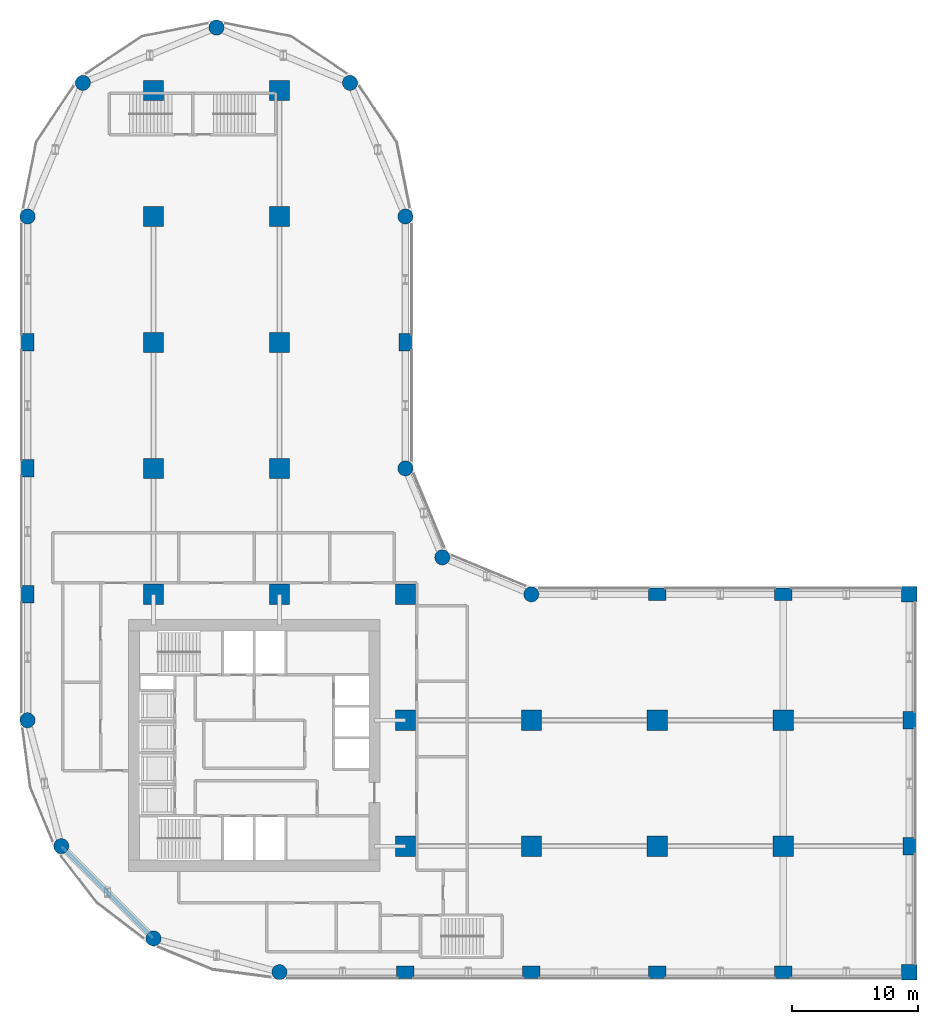
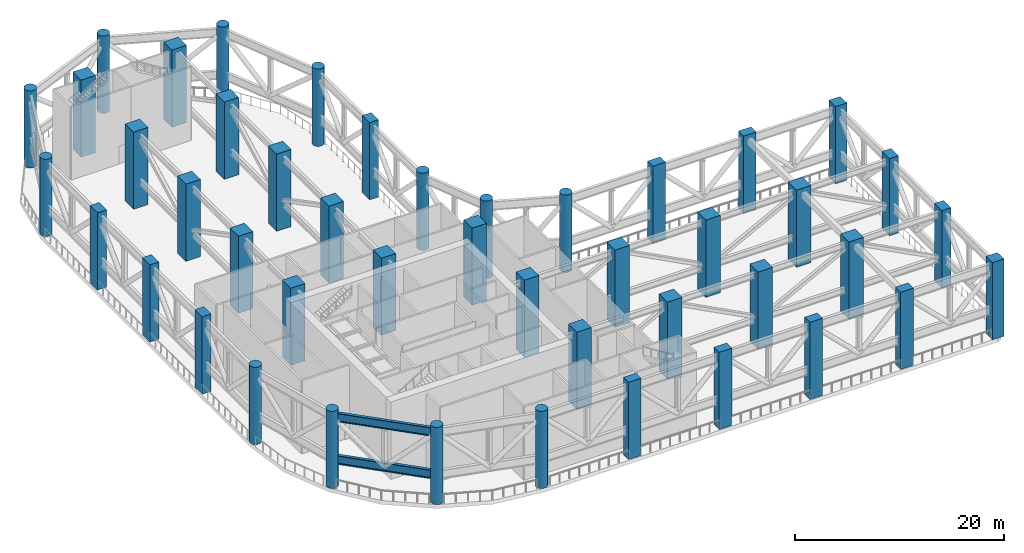
# One storey, part 1 of 14: 45 columns, 2 members.
"""IFC4 building model written with IfcOpenShell, lengths in metres."""

from ifc_helpers import new_model, si_unit, direction, frame, origin, origin_2d, place, context, subcontext, project, spatial, rectangle, circle, i_section, extrude, material, material_profile, profile_set, type_object, element, save


model = new_model("IFC4")

# Units and contexts
model_context = context("Model", 3, precision=1e-05, world=origin(), true_north=direction((0.0, 1.0)))
body_context = subcontext(model_context, "Body", "Model", "MODEL_VIEW")
ifc_project = project(units=[si_unit("LENGTHUNIT", "METRE"), si_unit("AREAUNIT", "SQUARE_METRE"), si_unit("VOLUMEUNIT", "CUBIC_METRE"), si_unit("PLANEANGLEUNIT", "RADIAN"), si_unit("MASSUNIT", "GRAM", prefix="KILO")], contexts=[model_context])

# Site, building, storey
site_placement = place(None, origin())
site = spatial("IfcSite", under=ifc_project, at=site_placement, CompositionType="ELEMENT")
building_placement = place(site_placement, origin())
building = spatial("IfcBuilding", under=site, at=building_placement, Name="Qaws Garden Tower", CompositionType="ELEMENT")
storey_placement = place(building_placement, frame((0.0, 0.0, 117.300048828125)))
storey = spatial("IfcBuildingStorey", under=building, at=storey_placement, Name="L29", CompositionType="ELEMENT", Elevation=117.300048828125)

# Columns
ifc_material_1 = material(Name="Concrete C80", Category="concrete")
ifc_material_profile_1 = material_profile(ifc_material_1, rectangle(XDim=1.25, YDim=1.25, at=origin_2d()), Name="RC 1250x1250")
ifc_profile_set_1 = profile_set([ifc_material_profile_1], Name="Concrete C80")
column_type_1 = type_object("IfcColumnType", Name="Column RC 1250x1250 C80", PredefinedType="COLUMN", material=ifc_profile_set_1)
for number, where, z_axis, x_axis, name in (
    (1, (70.0, 0.0, 0.0), (0.0, 0.0, 1.0), (1.0, 0.0, 0.0), "Column L29-006"),
    (2, (70.0, 30.0, 0.0), (0.0, 0.0, 1.0), (1.0, 0.0, 0.0), "Column L29-009"),
):
    element("IfcColumn", number, at=place(storey_placement, frame(where, z_axis=z_axis, x_axis=x_axis)), inside=storey, type_object=column_type_1, Name=name, PredefinedType="COLUMN", context=body_context, shape_type="SweptSolid", body=[
        extrude(rectangle(XDim=1.25, YDim=1.25, at=origin_2d()), origin(), (0.0, 0.0, 1.0), 9.0),
    ])
ifc_material_2 = material(Name="Concrete C80", Category="concrete")
ifc_material_profile_2 = material_profile(ifc_material_2, rectangle(XDim=1.39990234375, YDim=1.0, at=origin_2d()), Name="RC 1400x1000")
ifc_profile_set_2 = profile_set([ifc_material_profile_2], Name="Concrete C80")
column_type_2 = type_object("IfcColumnType", Name="Column RC 1400x1000 C80", PredefinedType="COLUMN", material=ifc_profile_set_2)
for number, where, z_axis, x_axis, name in (
    (3, (30.0, 0.0, 0.0), (0.0, 0.0, 1.0), (1.0, 0.0, 0.0), "Column L29-002"),
    (4, (40.0, 0.0, 0.0), (0.0, 0.0, 1.0), (1.0, 0.0, 0.0), "Column L29-003"),
    (5, (50.0, 0.0, 0.0), (0.0, 0.0, 1.0), (1.0, 0.0, 0.0), "Column L29-004"),
    (6, (60.0, 0.0, 0.0), (0.0, 0.0, 1.0), (1.0, 0.0, 0.0), "Column L29-005"),
    (7, (70.0, 10.0, 0.0), (0.0, 0.0, 1.0), (0.0, 1.0, 0.0), "Column L29-007"),
    (8, (70.0, 20.0, 0.0), (0.0, 0.0, 1.0), (0.0, 1.0, 0.0), "Column L29-008"),
    (9, (60.0, 30.0, 0.0), (0.0, 0.0, 1.0), (1.0, 0.0, 0.0), "Column L29-010"),
    (10, (50.0, 30.0, 0.0), (0.0, 0.0, 1.0), (1.0, 0.0, 0.0), "Column L29-011"),
    (11, (30.0, 50.0, 0.0), (0.0, 0.0, 1.0), (0.0, 1.0, 0.0), "Column L29-015"),
    (12, (0.0, 50.0, 0.0), (0.0, 0.0, 1.0), (0.0, 1.0, 0.0), "Column L29-021"),
    (13, (0.0, 40.0, 0.0), (0.0, 0.0, 1.0), (0.0, 1.0, 0.0), "Column L29-022"),
    (14, (0.0, 30.0, 0.0), (0.0, 0.0, 1.0), (0.0, 1.0, 0.0), "Column L29-023"),
):
    element("IfcColumn", number, at=place(storey_placement, frame(where, z_axis=z_axis, x_axis=x_axis)), inside=storey, type_object=column_type_2, Name=name, PredefinedType="COLUMN", context=body_context, shape_type="SweptSolid", body=[
        extrude(rectangle(XDim=1.39990234375, YDim=1.0, at=origin_2d()), origin(), (0.0, 0.0, 1.0), 9.0),
    ])
ifc_material_3 = material(Name="Concrete C80", Category="concrete")
ifc_material_profile_3 = material_profile(ifc_material_3, rectangle(XDim=1.60009765625, YDim=1.60009765625, at=origin_2d()), Name="RC 1600x1600")
ifc_profile_set_3 = profile_set([ifc_material_profile_3], Name="Concrete C80")
column_type_3 = type_object("IfcColumnType", Name="Column RC 1600x1600 C80", PredefinedType="COLUMN", material=ifc_profile_set_3)
for number, where, z_axis, x_axis, name in (
    (15, (10.0, 30.0, 0.0), (0.0, 0.0, 1.0), (1.0, 0.0, 0.0), "Column L29-027"),
    (16, (10.0, 40.0, 0.0), (0.0, 0.0, 1.0), (1.0, 0.0, 0.0), "Column L29-028"),
    (17, (10.0, 50.0, 0.0), (0.0, 0.0, 1.0), (1.0, 0.0, 0.0), "Column L29-029"),
    (18, (10.0, 60.0, 0.0), (0.0, 0.0, 1.0), (1.0, 0.0, 0.0), "Column L29-030"),
    (19, (10.0, 70.0, 0.0), (0.0, 0.0, 1.0), (1.0, 0.0, 0.0), "Column L29-031"),
    (20, (20.0, 30.0, 0.0), (0.0, 0.0, 1.0), (1.0, 0.0, 0.0), "Column L29-032"),
    (21, (20.0, 40.0, 0.0), (0.0, 0.0, 1.0), (1.0, 0.0, 0.0), "Column L29-033"),
    (22, (20.0, 50.0, 0.0), (0.0, 0.0, 1.0), (1.0, 0.0, 0.0), "Column L29-034"),
    (23, (20.0, 60.0, 0.0), (0.0, 0.0, 1.0), (1.0, 0.0, 0.0), "Column L29-035"),
    (24, (20.0, 70.0, 0.0), (0.0, 0.0, 1.0), (1.0, 0.0, 0.0), "Column L29-036"),
    (25, (30.0, 10.0, 0.0), (0.0, 0.0, 1.0), (1.0, 0.0, 0.0), "Column L29-037"),
    (26, (30.0, 20.0, 0.0), (0.0, 0.0, 1.0), (1.0, 0.0, 0.0), "Column L29-038"),
    (27, (30.0, 30.0, 0.0), (0.0, 0.0, 1.0), (1.0, 0.0, 0.0), "Column L29-039"),
    (28, (40.0, 10.0, 0.0), (0.0, 0.0, 1.0), (1.0, 0.0, 0.0), "Column L29-040"),
    (29, (40.0, 20.0, 0.0), (0.0, 0.0, 1.0), (1.0, 0.0, 0.0), "Column L29-041"),
    (30, (50.0, 10.0, 0.0), (0.0, 0.0, 1.0), (1.0, 0.0, 0.0), "Column L29-042"),
    (31, (50.0, 20.0, 0.0), (0.0, 0.0, 1.0), (1.0, 0.0, 0.0), "Column L29-043"),
    (32, (60.0, 10.0, 0.0), (0.0, 0.0, 1.0), (1.0, 0.0, 0.0), "Column L29-044"),
    (33, (60.0, 20.0, 0.0), (0.0, 0.0, 1.0), (1.0, 0.0, 0.0), "Column L29-045"),
):
    element("IfcColumn", number, at=place(storey_placement, frame(where, z_axis=z_axis, x_axis=x_axis)), inside=storey, type_object=column_type_3, Name=name, PredefinedType="COLUMN", context=body_context, shape_type="SweptSolid", body=[
        extrude(rectangle(XDim=1.60009765625, YDim=1.60009765625, at=origin_2d()), origin(), (0.0, 0.0, 1.0), 9.0),
    ])
ifc_material_4 = material(Name="Concrete C80", Category="concrete")
ifc_material_profile_4 = material_profile(ifc_material_4, circle(Radius=0.60009765625, at=origin_2d()), Name="RC D1200")
ifc_profile_set_4 = profile_set([ifc_material_profile_4], Name="Concrete C80")
column_type_4 = type_object("IfcColumnType", Name="Column RC D1200 C80", PredefinedType="COLUMN", material=ifc_profile_set_4)
for number, where, z_axis, x_axis, name in (
    (34, (20.0, 0.0, 0.0), (0.0, 0.0, 1.0), (1.0, 0.0, 0.0), "Column L29-001"),
    (35, (40.0, 30.0, 0.0), (0.0, 0.0, 1.0), (1.0, 0.0, 0.0), "Column L29-012"),
    (36, (32.928955078125, 32.928955078125, 0.0), (0.0, 0.0, 1.0), (1.0, 0.0, 0.0), "Column L29-013"),
    (37, (30.0, 40.0, 0.0), (0.0, 0.0, 1.0), (1.0, 0.0, 0.0), "Column L29-014"),
    (38, (30.0, 60.0, 0.0), (0.0, 0.0, 1.0), (1.0, 0.0, 0.0), "Column L29-016"),
    (39, (25.606689453125, 70.606689453125, 0.0), (0.0, 0.0, 1.0), (1.0, 0.0, 0.0), "Column L29-017"),
    (40, (15.0, 75.0, 0.0), (0.0, 0.0, 1.0), (1.0, 0.0, 0.0), "Column L29-018"),
    (41, (4.393310546875, 70.606689453125, 0.0), (0.0, 0.0, 1.0), (1.0, 0.0, 0.0), "Column L29-019"),
    (42, (0.0, 60.0, 0.0), (0.0, 0.0, 1.0), (1.0, 0.0, 0.0), "Column L29-020"),
    (43, (0.0, 20.0, 0.0), (0.0, 0.0, 1.0), (1.0, 0.0, 0.0), "Column L29-024"),
    (44, (2.679443359375, 10.0, 0.0), (0.0, 0.0, 1.0), (1.0, 0.0, 0.0), "Column L29-025"),
    (45, (10.0, 2.679443359375, 0.0), (0.0, 0.0, 1.0), (1.0, 0.0, 0.0), "Column L29-026"),
):
    element("IfcColumn", number, at=place(storey_placement, frame(where, z_axis=z_axis, x_axis=x_axis)), inside=storey, type_object=column_type_4, Name=name, PredefinedType="COLUMN", context=body_context, shape_type="SweptSolid", body=[
        extrude(circle(Radius=0.60009765625, at=origin_2d()), origin(), (0.0, 0.0, 1.0), 9.0),
    ])

# Members
ifc_material_5 = material(Name="Steel S355", Category="steel")
ifc_material_profile_5 = material_profile(ifc_material_5, i_section(OverallWidth=0.302001953125, OverallDepth=1.008056640625, WebThickness=0.02099609375, FlangeThickness=0.0400390625, FilletRadius=0.030029296875, at=origin_2d()), Name="HEM 1000")
ifc_profile_set_5 = profile_set([ifc_material_profile_5], Name="Steel S355")
member_type = type_object("IfcMemberType", Name="Belt chord HEM 1000", PredefinedType="CHORD", material=ifc_profile_set_5)
for number, where, z_axis, x_axis, name in (
    (46, (2.679443359375, 10.0, 8.0458984375), (0.707106781187, -0.707106781187, 0.0), (0.707106781187, 0.707106781187, 0.0), "Belt truss top chord 25"),
    (47, (2.679443359375, 10.0, 3.10400390625), (0.707106781187, -0.707106781187, 0.0), (0.707106781187, 0.707106781187, 0.0), "Belt truss bottom chord 25"),
):
    element("IfcMember", number, at=place(storey_placement, frame(where, z_axis=z_axis, x_axis=x_axis)), inside=storey, type_object=member_type, Name=name, PredefinedType="CHORD", context=body_context, shape_type="SweptSolid", body=[
        extrude(i_section(OverallWidth=0.302001953125, OverallDepth=1.008056640625, WebThickness=0.02099609375, FlangeThickness=0.0400390625, FilletRadius=0.030029296875, at=origin_2d()), origin(), (0.0, 0.0, 1.0), 10.352783203125),
    ])

save(model, "model.ifc")
